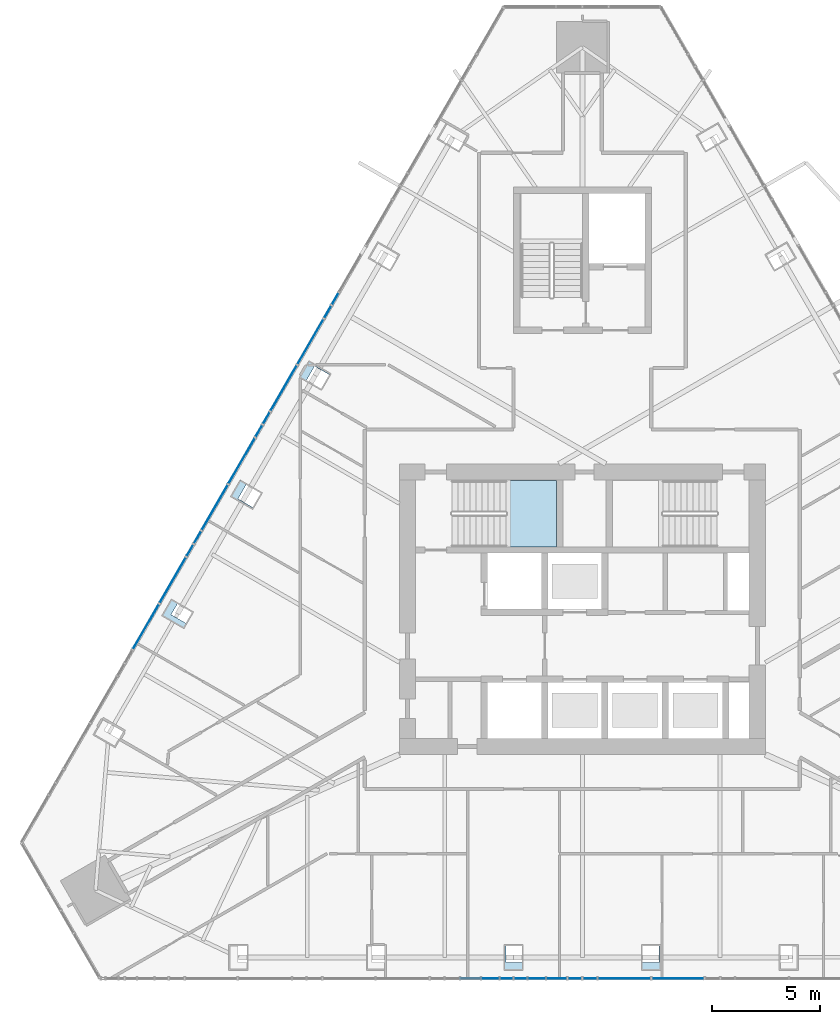
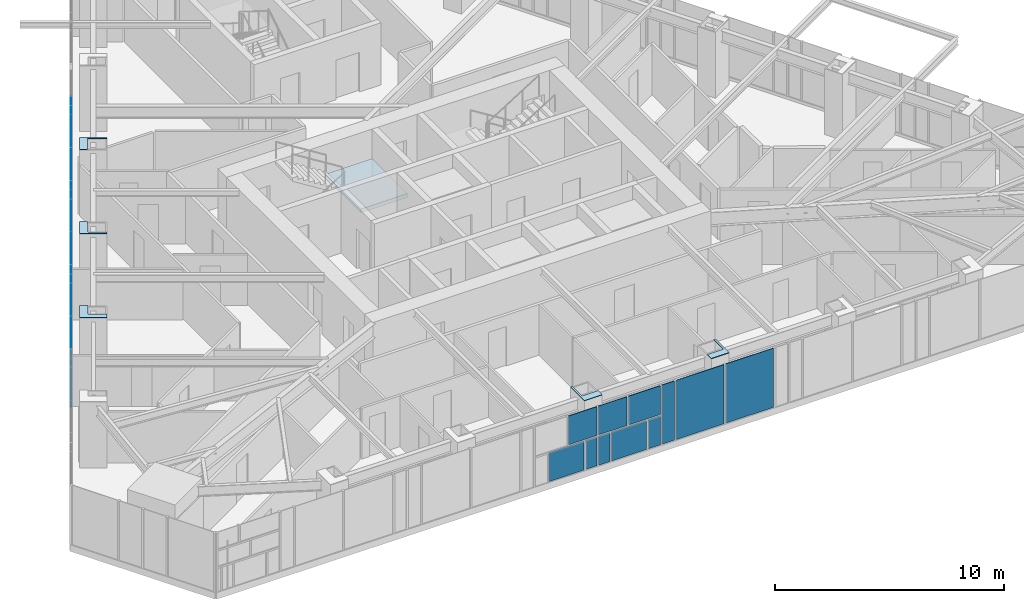
# One storey, part 17 of 26: 28 plates, 1 slab, 3 elements without a shape of their own.
"""IFC4 building model written with IfcOpenShell, lengths in metres."""

from ifc_helpers import new_model, si_unit, direction, frame, origin, place, context, subcontext, project, spatial, polyline, outline, extrude, material, layer, layer_set, type_object, element, aggregate, save


model = new_model("IFC4")

# Units and contexts
model_context = context("Model", 3, precision=1e-05, world=origin(), true_north=direction((0.0, 1.0)))
body_context = subcontext(model_context, "Body", "Model", "MODEL_VIEW")
ifc_project = project(units=[si_unit("LENGTHUNIT", "METRE"), si_unit("AREAUNIT", "SQUARE_METRE"), si_unit("VOLUMEUNIT", "CUBIC_METRE"), si_unit("PLANEANGLEUNIT", "RADIAN"), si_unit("MASSUNIT", "GRAM", prefix="KILO")], contexts=[model_context])

# Site, building, storey
site_placement = place(None, origin())
site = spatial("IfcSite", under=ifc_project, at=site_placement, CompositionType="ELEMENT")
building_placement = place(site_placement, origin())
building = spatial("IfcBuilding", under=site, at=building_placement, Name="Firuza Gate Tower and Library", CompositionType="ELEMENT")
storey_placement = place(building_placement, frame((0.0, 0.0, 288.10009765625)))
storey = spatial("IfcBuildingStorey", under=building, at=storey_placement, Name="L69", CompositionType="ELEMENT", Elevation=288.10009765625)

# Plates
ifc_material_1 = material(Name="Steel S355", Category="steel")
ifc_layer_1 = layer(ifc_material_1, 0.030029296875)
ifc_layer_set_1 = layer_set([ifc_layer_1], Name="Column infill plate 30 Steel S355")
plate_type_1 = type_object("IfcPlateType", Name="Column infill plate 30 Steel S355", PredefinedType="SHEET", material=ifc_layer_set_1)
placement_1 = place(storey_placement, frame((0.0, 0.0, 3.5)))
element("IfcPlate", 1, at=placement_1, inside=storey, type_object=plate_type_1, Name="Infill plate L69:S3", PredefinedType="SHEET", context=body_context, shape_type="SweptSolid", body=[
    extrude(outline(polyline([(72.25537109375, 58.23193359375), (72.25537109375, 58.587646484375), (71.443359375, 58.587646484375), (71.443359375, 59.431884765625), (71.355224609375, 59.431884765625), (71.355224609375, 58.23193359375), (72.25537109375, 58.23193359375)])), origin(), (0.0, 0.0, 1.0), 0.02978515625),
])
element("IfcPlate", 2, at=placement_1, inside=storey, type_object=plate_type_1, Name="Infill plate L69:S4", PredefinedType="SHEET", context=body_context, shape_type="SweptSolid", body=[
    extrude(outline(polyline([(78.644775390625, 59.431884765625), (78.556640625, 59.431884765625), (78.556640625, 58.587646484375), (77.74462890625, 58.587646484375), (77.74462890625, 58.23193359375), (78.644775390625, 58.23193359375), (78.644775390625, 59.431884765625)])), origin(), (0.0, 0.0, 1.0), 0.02978515625),
])
element("IfcPlate", 3, at=placement_1, inside=storey, type_object=plate_type_1, Name="Infill plate L69:W3", PredefinedType="SHEET", context=body_context, shape_type="SweptSolid", body=[
    extrude(outline(polyline([(61.850830078125, 85.760986328125), (62.15869140625, 85.583251953125), (62.564697265625, 86.286376953125), (63.296142578125, 85.8642578125), (63.340087890625, 85.9404296875), (62.30078125, 86.540283203125), (61.850830078125, 85.760986328125)])), origin(), (0.0, 0.0, 1.0), 0.02978515625),
])
element("IfcPlate", 4, at=placement_1, inside=storey, type_object=plate_type_1, Name="Infill plate L69:W4", PredefinedType="SHEET", context=body_context, shape_type="SweptSolid", body=[
    extrude(outline(polyline([(59.6953125, 79.627685546875), (59.7392578125, 79.703857421875), (59.008056640625, 80.1259765625), (59.4140625, 80.829345703125), (59.106201171875, 81.007080078125), (58.65625, 80.2275390625), (59.6953125, 79.627685546875)])), origin(), (0.0, 0.0, 1.0), 0.02978515625),
])
element("IfcPlate", 5, at=placement_1, inside=storey, type_object=plate_type_1, Name="Infill plate L69:W5", PredefinedType="SHEET", context=body_context, shape_type="SweptSolid", body=[
    extrude(outline(polyline([(56.500732421875, 74.09423828125), (56.6328125, 74.322998046875), (55.9013671875, 74.7451171875), (56.219482421875, 75.2958984375), (55.911376953125, 75.4736328125), (55.46142578125, 74.6943359375), (56.500732421875, 74.09423828125)])), origin(), (0.0, 0.0, 1.0), 0.02978515625),
])

# Curtain wall, plates
ifc_material_2 = material(Name="Aluminium 6063-T6", Category="aluminium")
ifc_layer_2 = layer(ifc_material_2, 0.14990234375)
ifc_layer_set_2 = layer_set([ifc_layer_2], Name="Unitised curtain wall, residences")
curtain_wall_type = type_object("IfcCurtainWallType", Name="Unitised curtain wall, residences", PredefinedType="NOTDEFINED", material=ifc_layer_set_2)
placement_2 = place(storey_placement, origin())
curtain_wall_1 = element("IfcCurtainWall", 6, at=placement_2, inside=storey, type_object=curtain_wall_type, Name="CW3 L69 S face", PredefinedType="NOTDEFINED")
ifc_material_3 = material(Name="Fritted glass", Category="glass")
ifc_layer_3 = layer(ifc_material_3, 0.030029296875)
ifc_layer_set_3 = layer_set([ifc_layer_3], Name="Fritted glass unit, residences")
plate_type_2 = type_object("IfcPlateType", Name="Fritted glass unit, residences", PredefinedType="CURTAIN_PANEL", material=ifc_layer_set_3)
plate_6_placement = place(storey_placement, frame((71.195556640625, 57.842041015625, 0.14990234375), z_axis=(0.0, -1.0, 0.0), x_axis=(1.0, 0.0, 0.0)))
plate_6 = element("IfcPlate", 7, at=plate_6_placement, type_object=plate_type_2, Name="Glass unit", PredefinedType="CURTAIN_PANEL", context=body_context, shape_type="SweptSolid", body=[
    extrude(outline(polyline([(0.0, 0.0), (0.5634765625, 0.0), (0.5634765625, 1.534912109375), (0.0, 1.534912109375), (0.0, 0.0)])), origin(), (0.0, 0.0, -1.0), 0.030029296875),
])
plate_7_placement = place(storey_placement, frame((71.839111328125, 57.842041015625, 0.14990234375), z_axis=(0.0, -1.0, 0.0), x_axis=(1.0, 0.0, 0.0)))
plate_7 = element("IfcPlate", 8, at=plate_7_placement, type_object=plate_type_2, Name="Glass unit", PredefinedType="CURTAIN_PANEL", context=body_context, shape_type="SweptSolid", body=[
    extrude(outline(polyline([(0.0, 0.0), (0.575927734375, 0.0), (0.575927734375, 1.534912109375), (0.0, 1.534912109375), (0.0, 0.0)])), origin(), (0.0, 0.0, -1.0), 0.030029296875),
])
plate_8_placement = place(storey_placement, frame((74.338623046875, 57.842041015625, 0.14990234375), z_axis=(0.0, -1.0, 0.0), x_axis=(1.0, 0.0, 0.0)))
plate_8 = element("IfcPlate", 9, at=plate_8_placement, type_object=plate_type_2, Name="Glass unit", PredefinedType="CURTAIN_PANEL", context=body_context, shape_type="SweptSolid", body=[
    extrude(outline(polyline([(0.0, 0.0), (0.621337890625, 0.0), (0.621337890625, 1.534912109375), (0.0, 1.534912109375), (0.0, 0.0)])), origin(), (0.0, 0.0, -1.0), 0.030029296875),
])
plate_9_placement = place(storey_placement, frame((73.355712890625, 57.842041015625, 1.764892578125), z_axis=(0.0, -1.0, 0.0), x_axis=(1.0, 0.0, 0.0)))
plate_9 = element("IfcPlate", 10, at=plate_9_placement, type_object=plate_type_2, Name="Glass unit", PredefinedType="CURTAIN_PANEL", context=body_context, shape_type="SweptSolid", body=[
    extrude(outline(polyline([(0.0, 0.0), (1.604248046875, 0.0), (1.604248046875, 1.534912109375), (0.0, 1.534912109375), (0.0, 0.0)])), origin(), (0.0, 0.0, -1.0), 0.030029296875),
])
plate_10_placement = place(storey_placement, frame((75.0400390625, 57.842041015625, 0.14990234375), z_axis=(0.0, -1.0, 0.0), x_axis=(1.0, 0.0, 0.0)))
plate_10 = element("IfcPlate", 11, at=plate_10_placement, type_object=plate_type_2, Name="Glass unit", PredefinedType="CURTAIN_PANEL", context=body_context, shape_type="SweptSolid", body=[
    extrude(outline(polyline([(0.0, 0.0), (0.621337890625, 0.0), (0.621337890625, 3.14990234375), (0.0, 3.14990234375), (0.0, 0.0)])), origin(), (0.0, 0.0, -1.0), 0.030029296875),
])

curtain_wall_2 = element("IfcCurtainWall", 12, at=placement_2, inside=storey, type_object=curtain_wall_type, Name="CW3 L69 W face", PredefinedType="NOTDEFINED")
plate_11_placement = place(storey_placement, frame((63.666015625, 89.68505859375, 0.14990234375), z_axis=(-0.866038699073, 0.499976971178, 0.0), x_axis=(-0.499976971178, -0.866038699073, 0.0)))
plate_11 = element("IfcPlate", 13, at=plate_11_placement, type_object=plate_type_2, Name="Glass unit", PredefinedType="CURTAIN_PANEL", context=body_context, shape_type="SweptSolid", body=[
    extrude(outline(polyline([(0.0, 0.0), (0.6089147639297292, 0.0), (0.6089147639297292, 3.14990234375), (0.0, 3.14990234375), (0.0, 0.0)])), origin(), (0.0, 0.0, -1.0), 0.030029296875),
])
plate_12_placement = place(storey_placement, frame((63.321533203125, 89.08837890625, 0.14990234375), z_axis=(-0.8660059538, 0.500033686847, 0.0), x_axis=(-0.500033686847, -0.8660059538, 0.0)))
plate_12 = element("IfcPlate", 14, at=plate_12_placement, type_object=plate_type_2, Name="Glass unit", PredefinedType="CURTAIN_PANEL", context=body_context, shape_type="SweptSolid", body=[
    extrude(outline(polyline([(0.0, 0.0), (0.633746364665844, 0.0), (0.633746364665844, 3.14990234375), (0.0, 3.14990234375), (0.0, 0.0)])), origin(), (0.0, 0.0, -1.0), 0.030029296875),
])
plate_13_placement = place(storey_placement, frame((60.471435546875, 84.15185546875, 0.14990234375), z_axis=(-0.865936922628, 0.500153222552, 0.0), x_axis=(-0.500153222552, -0.865936922628, 0.0)))
plate_13 = element("IfcPlate", 15, at=plate_13_placement, type_object=plate_type_2, Name="Glass unit", PredefinedType="CURTAIN_PANEL", context=body_context, shape_type="SweptSolid", body=[
    extrude(outline(polyline([(0.0, 0.0), (0.6213916088333289, 0.0), (0.6213916088333289, 3.14990234375), (0.0, 3.14990234375), (0.0, 0.0)])), origin(), (0.0, 0.0, -1.0), 0.030029296875),
])
plate_14_placement = place(storey_placement, frame((60.12060546875, 83.54443359375, 0.14990234375), z_axis=(-0.866205205422, 0.499688445033, 0.0), x_axis=(-0.499688445033, -0.866205205422, 0.0)))
plate_14 = element("IfcPlate", 16, at=plate_14_placement, type_object=plate_type_2, Name="Glass unit", PredefinedType="CURTAIN_PANEL", context=body_context, shape_type="SweptSolid", body=[
    extrude(outline(polyline([(0.0, 0.0), (0.6214810009858179, 0.0), (0.6214810009858179, 3.14990234375), (0.0, 3.14990234375), (0.0, 0.0)])), origin(), (0.0, 0.0, -1.0), 0.030029296875),
])
plate_15_placement = place(storey_placement, frame((57.27685546875, 78.618408203125, 0.14990234375), z_axis=(-0.8660059538, 0.500033686847, 0.0), x_axis=(-0.500033686847, -0.8660059538, 0.0)))
plate_15 = element("IfcPlate", 17, at=plate_15_placement, type_object=plate_type_2, Name="Glass unit", PredefinedType="CURTAIN_PANEL", context=body_context, shape_type="SweptSolid", body=[
    extrude(outline(polyline([(0.0, 0.0), (0.633746364665844, 0.0), (0.633746364665844, 3.14990234375), (0.0, 3.14990234375), (0.0, 0.0)])), origin(), (0.0, 0.0, -1.0), 0.030029296875),
])
plate_16_placement = place(storey_placement, frame((56.919921875, 78.000244140625, 0.14990234375), z_axis=(-0.865865073245, 0.500277597875, 0.0), x_axis=(-0.500277597875, -0.865865073245, 0.0)))
plate_16 = element("IfcPlate", 18, at=plate_16_placement, type_object=plate_type_2, Name="Glass unit", PredefinedType="CURTAIN_PANEL", context=body_context, shape_type="SweptSolid", body=[
    extrude(outline(polyline([(0.0, 0.0), (0.609036865321232, 0.0), (0.609036865321232, 3.14990234375), (0.0, 3.14990234375), (0.0, 0.0)])), origin(), (0.0, 0.0, -1.0), 0.030029296875),
])

# Plate
ifc_material_4 = material(Name="Glazed ceramic tile")
ifc_layer_4 = layer(ifc_material_4, 0.030029296875)
ifc_layer_set_4 = layer_set([ifc_layer_4], Name="Opaque ceramic panel, residences")
plate_type_3 = type_object("IfcPlateType", Name="Opaque ceramic panel, residences", PredefinedType="CURTAIN_PANEL", material=ifc_layer_set_4)
plate_17_placement = place(storey_placement, frame((69.35205078125, 57.842041015625, 0.14990234375), z_axis=(0.0, -1.0, 0.0), x_axis=(1.0, 0.0, 0.0)))
plate_17 = element("IfcPlate", 19, at=plate_17_placement, type_object=plate_type_3, Name="Opaque ceramic panel", PredefinedType="CURTAIN_PANEL", context=body_context, shape_type="SweptSolid", body=[
    extrude(outline(polyline([(0.0, 0.0), (1.763427734375, 0.0), (1.763427734375, 1.534912109375), (0.0, 1.534912109375), (0.0, 0.0)])), origin(), (0.0, 0.0, -1.0), 0.030029296875),
])

plate_18_placement = place(storey_placement, frame((70.3349609375, 57.842041015625, 1.764892578125), z_axis=(0.0, -1.0, 0.0), x_axis=(1.0, 0.0, 0.0)))
plate_18 = element("IfcPlate", 20, at=plate_18_placement, type_object=plate_type_3, Name="Opaque ceramic panel", PredefinedType="CURTAIN_PANEL", context=body_context, shape_type="SweptSolid", body=[
    extrude(outline(polyline([(0.0, 0.0), (1.424072265625, 0.0), (1.424072265625, 1.534912109375), (0.0, 1.534912109375), (0.0, 0.0)])), origin(), (0.0, 0.0, -1.0), 0.030029296875),
])

plate_19_placement = place(storey_placement, frame((72.4951171875, 57.842041015625, 0.14990234375), z_axis=(0.0, -1.0, 0.0), x_axis=(1.0, 0.0, 0.0)))
plate_19 = element("IfcPlate", 21, at=plate_19_placement, type_object=plate_type_3, Name="Opaque ceramic panel", PredefinedType="CURTAIN_PANEL", context=body_context, shape_type="SweptSolid", body=[
    extrude(outline(polyline([(0.0, 0.0), (1.763427734375, 0.0), (1.763427734375, 1.534912109375), (0.0, 1.534912109375), (0.0, 0.0)])), origin(), (0.0, 0.0, -1.0), 0.030029296875),
])

plate_20_placement = place(storey_placement, frame((71.839111328125, 57.842041015625, 1.764892578125), z_axis=(0.0, -1.0, 0.0), x_axis=(1.0, 0.0, 0.0)))
plate_20 = element("IfcPlate", 22, at=plate_20_placement, type_object=plate_type_3, Name="Opaque ceramic panel", PredefinedType="CURTAIN_PANEL", context=body_context, shape_type="SweptSolid", body=[
    extrude(outline(polyline([(0.0, 0.0), (1.436767578125, 0.0), (1.436767578125, 1.534912109375), (0.0, 1.534912109375), (0.0, 0.0)])), origin(), (0.0, 0.0, -1.0), 0.030029296875),
])

plate_21_placement = place(storey_placement, frame((75.741455078125, 57.842041015625, 0.14990234375), z_axis=(0.0, -1.0, 0.0), x_axis=(1.0, 0.0, 0.0)))
plate_21 = element("IfcPlate", 23, at=plate_21_placement, type_object=plate_type_3, Name="Opaque ceramic panel", PredefinedType="CURTAIN_PANEL", context=body_context, shape_type="SweptSolid", body=[
    extrude(outline(polyline([(0.0, 0.0), (2.41943359375, 0.0), (2.41943359375, 3.14990234375), (0.0, 3.14990234375), (0.0, 0.0)])), origin(), (0.0, 0.0, -1.0), 0.030029296875),
])

plate_22_placement = place(storey_placement, frame((78.240966796875, 57.842041015625, 0.14990234375), z_axis=(0.0, -1.0, 0.0), x_axis=(1.0, 0.0, 0.0)))
plate_22 = element("IfcPlate", 24, at=plate_22_placement, type_object=plate_type_3, Name="Opaque ceramic panel", PredefinedType="CURTAIN_PANEL", context=body_context, shape_type="SweptSolid", body=[
    extrude(outline(polyline([(0.0, 0.0), (2.406982421875, 0.0), (2.406982421875, 3.14990234375), (0.0, 3.14990234375), (0.0, 0.0)])), origin(), (0.0, 0.0, -1.0), 0.030029296875),
])

aggregate(curtain_wall_1, [plate_17, plate_6, plate_18, plate_7, plate_19, plate_8, plate_20, plate_9, plate_10, plate_21, plate_22])

plate_23_placement = place(storey_placement, frame((62.964599609375, 88.47021484375, 0.14990234375), z_axis=(-0.866043701129, 0.49996830673, 0.0), x_axis=(-0.49996830673, -0.866043701129, 0.0)))
plate_23 = element("IfcPlate", 25, at=plate_23_placement, type_object=plate_type_3, Name="Opaque ceramic panel", PredefinedType="CURTAIN_PANEL", context=body_context, shape_type="SweptSolid", body=[
    extrude(outline(polyline([(0.0, 0.0), (2.406890845730749, 0.0), (2.406890845730749, 3.14990234375), (0.0, 3.14990234375), (0.0, 0.0)])), origin(), (0.0, 0.0, -1.0), 0.030029296875),
])

plate_24_placement = place(storey_placement, frame((61.72119140625, 86.31640625, 0.14990234375), z_axis=(-0.866017538894, 0.500013622142, 0.0), x_axis=(-0.500013622142, -0.866017538894, 0.0)))
plate_24 = element("IfcPlate", 26, at=plate_24_placement, type_object=plate_type_3, Name="Opaque ceramic panel", PredefinedType="CURTAIN_PANEL", context=body_context, shape_type="SweptSolid", body=[
    extrude(outline(polyline([(0.0, 0.0), (2.4193676798105423, 0.0), (2.4193676798105423, 3.14990234375), (0.0, 3.14990234375), (0.0, 0.0)])), origin(), (0.0, 0.0, -1.0), 0.030029296875),
])

plate_25_placement = place(storey_placement, frame((59.77001953125, 82.936767578125, 0.14990234375), z_axis=(-0.866017538894, 0.500013622142, 0.0), x_axis=(-0.500013622142, -0.866017538894, 0.0)))
plate_25 = element("IfcPlate", 27, at=plate_25_placement, type_object=plate_type_3, Name="Opaque ceramic panel", PredefinedType="CURTAIN_PANEL", context=body_context, shape_type="SweptSolid", body=[
    extrude(outline(polyline([(0.0, 0.0), (2.4193676798105423, 0.0), (2.4193676798105423, 3.14990234375), (0.0, 3.14990234375), (0.0, 0.0)])), origin(), (0.0, 0.0, -1.0), 0.030029296875),
])

plate_26_placement = place(storey_placement, frame((58.520263671875, 80.7724609375, 0.14990234375), z_axis=(-0.86606905308, 0.499924389581, 0.0), x_axis=(-0.499924389581, -0.86606905308, 0.0)))
plate_26 = element("IfcPlate", 28, at=plate_26_placement, type_object=plate_type_3, Name="Opaque ceramic panel", PredefinedType="CURTAIN_PANEL", context=body_context, shape_type="SweptSolid", body=[
    extrude(outline(polyline([(0.0, 0.0), (2.4071022852760766, 0.0), (2.4071022852760766, 3.14990234375), (0.0, 3.14990234375), (0.0, 0.0)])), origin(), (0.0, 0.0, -1.0), 0.030029296875),
])

plate_27_placement = place(storey_placement, frame((56.575439453125, 77.403564453125, 0.14990234375), z_axis=(-0.865991642781, 0.500058471214, 0.0), x_axis=(-0.500058471214, -0.865991642781, 0.0)))
plate_27 = element("IfcPlate", 29, at=plate_27_placement, type_object=plate_type_3, Name="Opaque ceramic panel", PredefinedType="CURTAIN_PANEL", context=body_context, shape_type="SweptSolid", body=[
    extrude(outline(polyline([(0.0, 0.0), (2.43184452044647, 0.0), (2.43184452044647, 3.14990234375), (0.0, 3.14990234375), (0.0, 0.0)])), origin(), (0.0, 0.0, -1.0), 0.030029296875),
])

plate_28_placement = place(storey_placement, frame((55.3193359375, 75.228271484375, 0.14990234375), z_axis=(-0.866025985952, 0.499998991654, 0.0), x_axis=(-0.499998991654, -0.866025985952, 0.0)))
plate_28 = element("IfcPlate", 30, at=plate_28_placement, type_object=plate_type_3, Name="Opaque ceramic panel", PredefinedType="CURTAIN_PANEL", context=body_context, shape_type="SweptSolid", body=[
    extrude(outline(polyline([(0.0, 0.0), (2.394536079040935, 0.0), (2.394536079040935, 3.149902343750001), (0.0, 3.149902343750001), (0.0, 0.0)])), origin(), (0.0, 0.0, -1.0), 0.030029296875),
])

aggregate(curtain_wall_2, [plate_11, plate_12, plate_23, plate_24, plate_13, plate_14, plate_25, plate_26, plate_15, plate_16, plate_27, plate_28])

# Stair, slab
ifc_material_5 = material(Name="Concrete C35/45", Category="concrete")
stair_type = type_object("IfcStairType", Name="Exit stair ST8", PredefinedType="HALF_TURN_STAIR", material=ifc_material_5)
stair = element("IfcStair", 31, at=placement_2, inside=storey, type_object=stair_type, Name="L69 Stair ST1", PredefinedType="HALF_TURN_STAIR")
ifc_material_6 = material(Name="Concrete C35/45", Category="concrete")
ifc_layer_5 = layer(ifc_material_6, 0.199951171875)
ifc_layer_set_5 = layer_set([ifc_layer_5], Name="Stair landing 200")
slab_type = type_object("IfcSlabType", Name="Stair landing 200", PredefinedType="LANDING", material=ifc_layer_set_5)
slab_placement = place(storey_placement, frame((0.0, 0.0, 1.5498046875)))
slab = element("IfcSlab", 32, at=slab_placement, type_object=slab_type, Name="ST1 landing 1", PredefinedType="LANDING", context=body_context, shape_type="SweptSolid", body=[
    extrude(outline(polyline([(71.4599609375, 77.89990234375), (73.81005859375, 77.89990234375), (73.81005859375, 80.97998046875), (71.4599609375, 80.97998046875), (71.4599609375, 77.89990234375)])), origin(), (0.0, 0.0, 1.0), 0.2001953125),
])
aggregate(stair, [slab])

save(model, "model.ifc")
